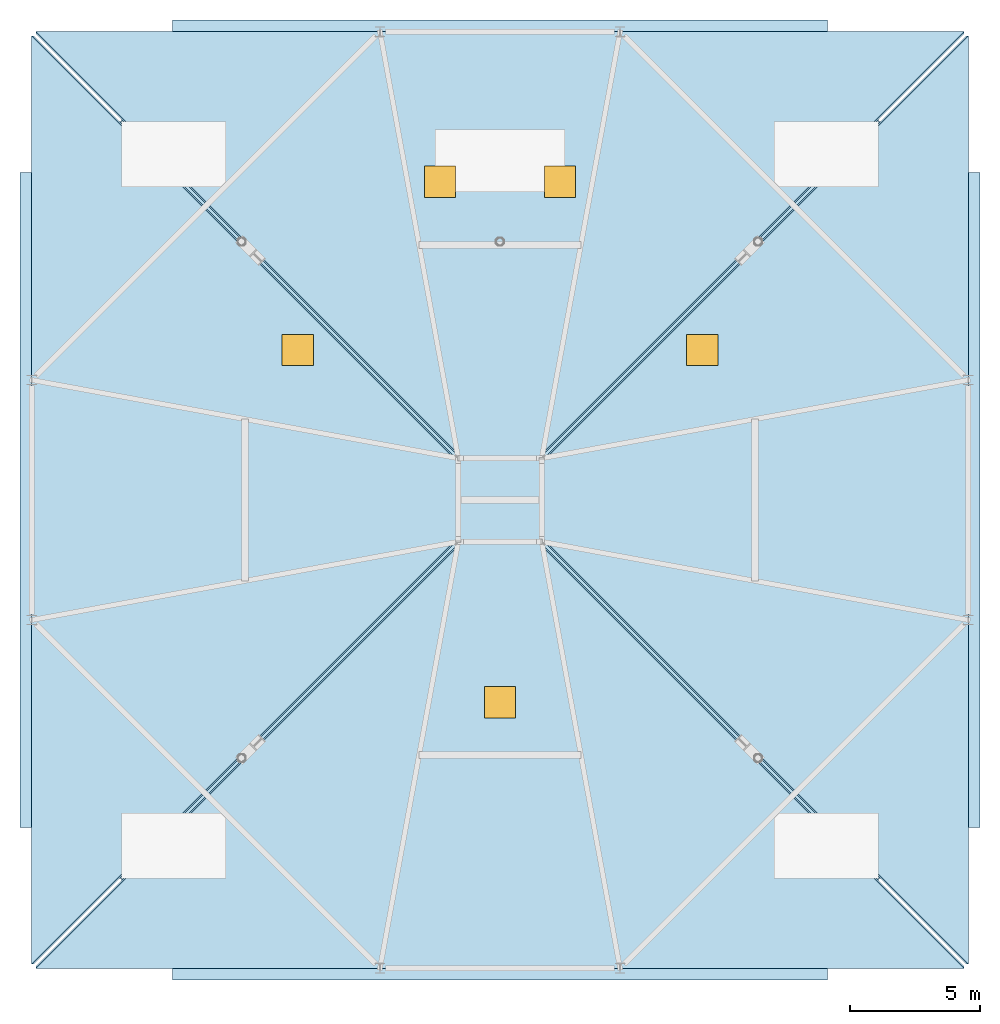
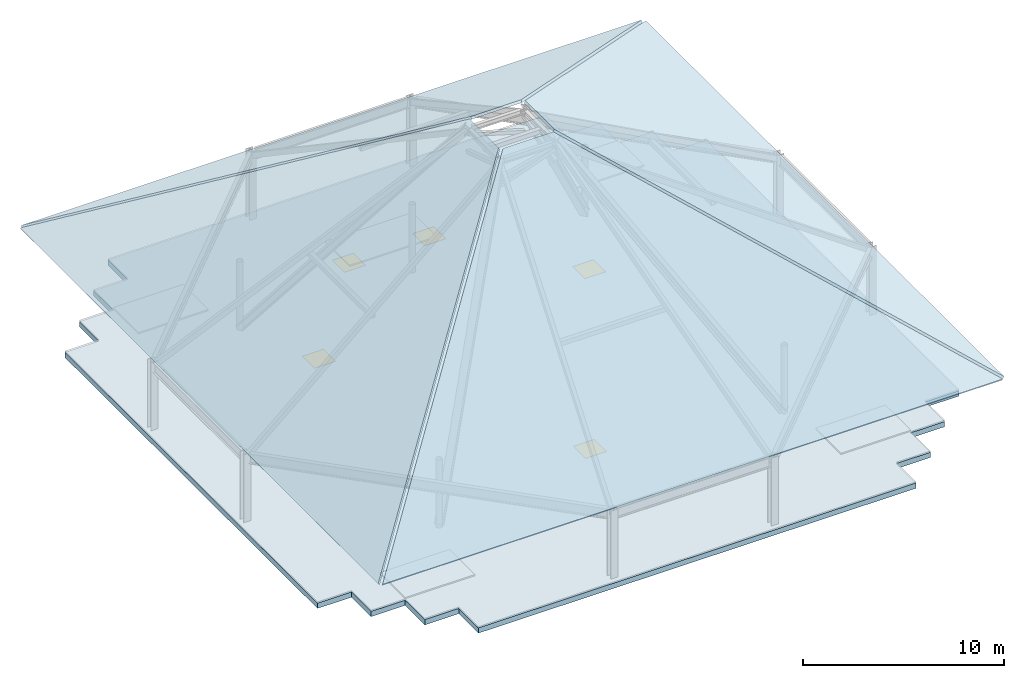
# One storey, part 6 of 7: 5 slabs, 5 windows, 5 openings.
"""IFC4 building model written with IfcOpenShell, lengths in metres."""

from ifc_helpers import new_model, si_unit, direction, frame, origin, origin_2d, place, context, subcontext, project, spatial, polyline, rectangle, outline, extrude, material, layer, layer_set, type_object, element, fill, save


model = new_model("IFC4")

# Units and contexts
model_context = context("Model", 3, precision=1e-05, world=origin(), true_north=direction((0.0, 1.0)))
body_context = subcontext(model_context, "Body", "Model", "MODEL_VIEW")
ifc_project = project(units=[si_unit("LENGTHUNIT", "METRE"), si_unit("AREAUNIT", "SQUARE_METRE"), si_unit("VOLUMEUNIT", "CUBIC_METRE"), si_unit("PLANEANGLEUNIT", "RADIAN"), si_unit("MASSUNIT", "GRAM", prefix="KILO")], contexts=[model_context])

# Site, building, storey
site_placement = place(None, origin())
site = spatial("IfcSite", under=ifc_project, at=site_placement, CompositionType="ELEMENT")
building_placement = place(site_placement, origin())
building = spatial("IfcBuilding", under=site, at=building_placement, Name="Kolvaren Belvedere", CompositionType="ELEMENT")
storey_placement = place(building_placement, frame((0.0, 0.0, 287.39990234375)))
storey = spatial("IfcBuildingStorey", under=building, at=storey_placement, Name="RF", CompositionType="ELEMENT", Elevation=287.39990234375)

# Slabs
ifc_material_1 = material(Name="Precast concrete C40/50", Category="concrete")
ifc_layer_1 = layer(ifc_material_1, 0.14990234375)
ifc_layer_set_1 = layer_set([ifc_layer_1], Name="Precast concrete C40/50")
slab_type_1 = type_object("IfcSlabType", Name="SL-CAN-150", PredefinedType="ROOF", material=ifc_layer_set_1)
for number, where, z_axis, x_axis, name in (
    (1, (-17.7900390625, -17.949951171875, 4.2001953125), (0.0, -0.551158603333, 0.834400499743), (1.0, 0.0, 0.0), "RF Sculpted Pale-Metal Canopy Facet SOUTH"),
    (2, (17.949951171875, -17.7900390625, 4.2001953125), (0.551158603333, 0.0, 0.834400499743), (0.0, 1.0, 0.0), "RF Sculpted Pale-Metal Canopy Facet EAST"),
    (3, (17.7900390625, 17.949951171875, 4.2001953125), (0.0, 0.551158603333, 0.834400499743), (-1.0, 0.0, 0.0), "RF Sculpted Pale-Metal Canopy Facet NORTH"),
    (4, (-17.949951171875, 17.7900390625, 4.2001953125), (-0.551158603333, 0.0, 0.834400499743), (0.0, -1.0, 0.0), "RF Sculpted Pale-Metal Canopy Facet WEST"),
):
    element("IfcSlab", number, at=place(storey_placement, frame(where, z_axis=z_axis, x_axis=x_axis)), inside=storey, type_object=slab_type_1, Name=name, PredefinedType="ROOF", context=body_context, shape_type="SweptSolid", body=[
        extrude(outline(polyline([(0.0, 0.0), (35.580078125, 0.0), (19.22998046875, 19.594731212000383), (16.35009765625, 19.594731212000383), (0.0, 0.0)])), origin(), (0.0, 0.0, -1.0), 0.14990234375),
    ])

# Slab, openings, windows
ifc_material_2 = material(Name="Concrete C50/60", Category="concrete")
ifc_layer_2 = layer(ifc_material_2, 0.320068359375)
ifc_layer_set_2 = layer_set([ifc_layer_2], Name="Concrete C50/60")
slab_type_2 = type_object("IfcSlabType", Name="SL-ROOF-320", PredefinedType="ROOF", material=ifc_layer_set_2)
slab_placement = place(storey_placement, frame((0.0, 0.0, -0.31982421875)))
slab = element("IfcSlab", 5, at=slab_placement, inside=storey, type_object=slab_type_2, Name="RF Main Crown Roof Slab", PredefinedType="ROOF", context=body_context, shape_type="SweptSolid", body=[
    extrude(outline(polyline([(-12.550048828125, -18.39990234375), (12.550048828125, -18.39990234375), (12.550048828125, -16.449951171875), (14.5, -16.449951171875), (14.5, -14.5), (16.449951171875, -14.5), (16.449951171875, -12.550048828125), (18.39990234375, -12.550048828125), (18.39990234375, 12.550048828125), (16.449951171875, 12.550048828125), (16.449951171875, 14.5), (14.5, 14.5), (14.5, 16.449951171875), (12.550048828125, 16.449951171875), (12.550048828125, 18.39990234375), (-12.550048828125, 18.39990234375), (-12.550048828125, 16.449951171875), (-14.5, 16.449951171875), (-14.5, 14.5), (-16.449951171875, 14.5), (-16.449951171875, 12.550048828125), (-18.39990234375, 12.550048828125), (-18.39990234375, -12.550048828125), (-16.449951171875, -12.550048828125), (-16.449951171875, -14.5), (-14.5, -14.5), (-14.5, -16.449951171875), (-12.550048828125, -16.449951171875), (-12.550048828125, -18.39990234375)])), origin(), (0.0, 0.0, 1.0), 0.31982421875),
])
opening_1_placement = place(slab_placement, frame((-7.75, 5.75, 0.0)))
opening_1 = element("IfcOpeningElement", 6, at=opening_1_placement, cuts=slab, Name="Opening RH-120", PredefinedType="OPENING", context=body_context, shape_type="SweptSolid", body=[
    extrude(rectangle(XDim=1.199951171875, YDim=1.199951171875, at=origin_2d()), origin(), (0.0, 0.0, 1.0), 0.31982421875),
])
opening_2_placement = place(slab_placement, frame((7.75, 5.75, 0.0)))
opening_2 = element("IfcOpeningElement", 7, at=opening_2_placement, cuts=slab, Name="Opening RH-120", PredefinedType="OPENING", context=body_context, shape_type="SweptSolid", body=[
    extrude(rectangle(XDim=1.199951171875, YDim=1.199951171875, at=origin_2d()), origin(), (0.0, 0.0, 1.0), 0.31982421875),
])
opening_3_placement = place(slab_placement, frame((0.0, -7.75, 0.0)))
opening_3 = element("IfcOpeningElement", 8, at=opening_3_placement, cuts=slab, Name="Opening RH-120", PredefinedType="OPENING", context=body_context, shape_type="SweptSolid", body=[
    extrude(rectangle(XDim=1.199951171875, YDim=1.199951171875, at=origin_2d()), origin(), (0.0, 0.0, 1.0), 0.31982421875),
])
opening_4_placement = place(slab_placement, frame((-2.300048828125, 12.199951171875, 0.0)))
opening_4 = element("IfcOpeningElement", 9, at=opening_4_placement, cuts=slab, Name="Opening RH-120", PredefinedType="OPENING", context=body_context, shape_type="SweptSolid", body=[
    extrude(rectangle(XDim=1.199951171875, YDim=1.199951171875, at=origin_2d()), origin(), (0.0, 0.0, 1.0), 0.31982421875),
])
opening_5_placement = place(slab_placement, frame((2.300048828125, 12.199951171875, 0.0)))
opening_5 = element("IfcOpeningElement", 10, at=opening_5_placement, cuts=slab, Name="Opening RH-120", PredefinedType="OPENING", context=body_context, shape_type="SweptSolid", body=[
    extrude(rectangle(XDim=1.199951171875, YDim=1.199951171875, at=origin_2d()), origin(), (0.0, 0.0, 1.0), 0.31982421875),
])
ifc_material_3 = material(Name="Insulated aluminium roof access hatch", Category="aluminium")
window_type = type_object("IfcWindowType", Name="SK-HATCH-12", PartitioningType="SINGLE_PANEL", PredefinedType="SKYLIGHT", material=ifc_material_3)
window_1_placement = place(opening_1_placement, frame((0.0, 0.0, 0.269775390625)))
window_1 = element("IfcWindow", 11, at=window_1_placement, inside=storey, type_object=window_type, Name="RF Maintenance Roof Access Hatch 1", OverallHeight=1.199951171875, OverallWidth=1.199951171875, PartitioningType="SINGLE_PANEL", PredefinedType="SKYLIGHT", context=body_context, shape_type="SweptSolid", body=[
    extrude(rectangle(XDim=1.199951171875, YDim=1.199951171875, at=origin_2d()), origin(), (0.0, 0.0, 1.0), 0.050048828125),
])
fill(opening_1, window_1)
window_2_placement = place(opening_2_placement, frame((0.0, 0.0, 0.269775390625)))
window_2 = element("IfcWindow", 12, at=window_2_placement, inside=storey, type_object=window_type, Name="RF Maintenance Roof Access Hatch 2", OverallHeight=1.199951171875, OverallWidth=1.199951171875, PartitioningType="SINGLE_PANEL", PredefinedType="SKYLIGHT", context=body_context, shape_type="SweptSolid", body=[
    extrude(rectangle(XDim=1.199951171875, YDim=1.199951171875, at=origin_2d()), origin(), (0.0, 0.0, 1.0), 0.050048828125),
])
fill(opening_2, window_2)
window_3_placement = place(opening_3_placement, frame((0.0, 0.0, 0.269775390625)))
window_3 = element("IfcWindow", 13, at=window_3_placement, inside=storey, type_object=window_type, Name="RF Maintenance Roof Access Hatch 3", OverallHeight=1.199951171875, OverallWidth=1.199951171875, PartitioningType="SINGLE_PANEL", PredefinedType="SKYLIGHT", context=body_context, shape_type="SweptSolid", body=[
    extrude(rectangle(XDim=1.199951171875, YDim=1.199951171875, at=origin_2d()), origin(), (0.0, 0.0, 1.0), 0.050048828125),
])
fill(opening_3, window_3)
window_4_placement = place(opening_4_placement, frame((0.0, 0.0, 0.269775390625)))
window_4 = element("IfcWindow", 14, at=window_4_placement, inside=storey, type_object=window_type, Name="RF Maintenance Roof Access Hatch 4", OverallHeight=1.199951171875, OverallWidth=1.199951171875, PartitioningType="SINGLE_PANEL", PredefinedType="SKYLIGHT", context=body_context, shape_type="SweptSolid", body=[
    extrude(rectangle(XDim=1.199951171875, YDim=1.199951171875, at=origin_2d()), origin(), (0.0, 0.0, 1.0), 0.050048828125),
])
fill(opening_4, window_4)
window_5_placement = place(opening_5_placement, frame((0.0, 0.0, 0.269775390625)))
window_5 = element("IfcWindow", 15, at=window_5_placement, inside=storey, type_object=window_type, Name="RF Maintenance Roof Access Hatch 5", OverallHeight=1.199951171875, OverallWidth=1.199951171875, PartitioningType="SINGLE_PANEL", PredefinedType="SKYLIGHT", context=body_context, shape_type="SweptSolid", body=[
    extrude(rectangle(XDim=1.199951171875, YDim=1.199951171875, at=origin_2d()), origin(), (0.0, 0.0, 1.0), 0.050048828125),
])
fill(opening_5, window_5)

save(model, "model.ifc")
